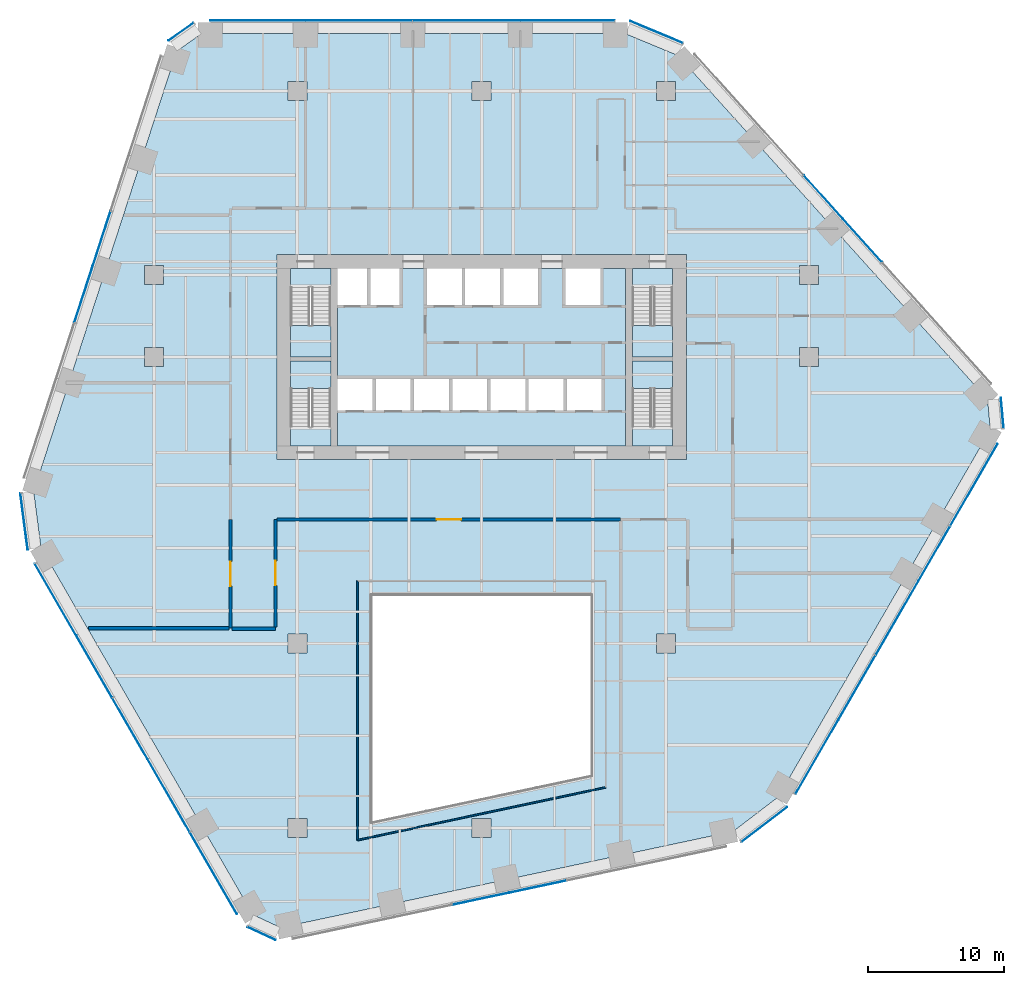
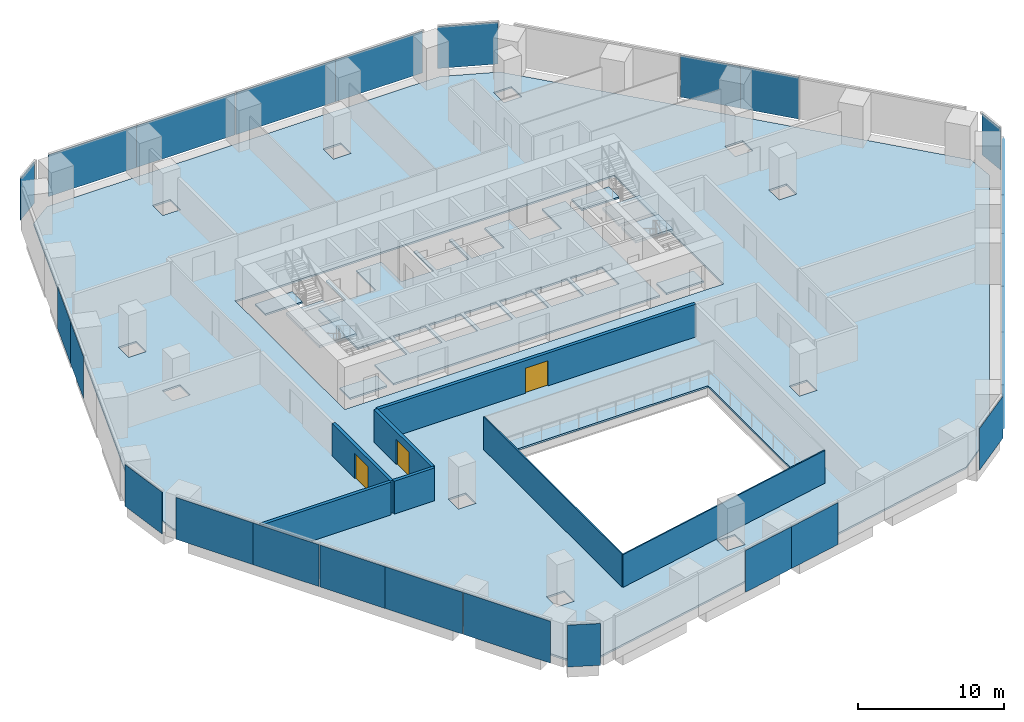
# One storey, part 13 of 20: 26 plates, 10 slabs, 7 walls, 3 doors, 3 openings, 16 elements without a shape of their own.
"""IFC4 building model written with IfcOpenShell, lengths in metres."""

from ifc_helpers import new_model, si_unit, direction, frame, frame_2d, origin, origin_2d, place, context, subcontext, project, spatial, polyline, rectangle, outline, extrude, material, layer, layer_set, type_object, element, fill, aggregate, save


model = new_model("IFC4")

# Units and contexts
model_context = context("Model", 3, precision=1e-05, world=origin(), true_north=direction((0.0, 1.0)))
body_context = subcontext(model_context, "Body", "Model", "MODEL_VIEW")
ifc_project = project(units=[si_unit("LENGTHUNIT", "METRE"), si_unit("AREAUNIT", "SQUARE_METRE"), si_unit("VOLUMEUNIT", "CUBIC_METRE"), si_unit("PLANEANGLEUNIT", "RADIAN"), si_unit("MASSUNIT", "GRAM", prefix="KILO")], contexts=[model_context])

# Site, building, storey
site_placement = place(None, origin())
site = spatial("IfcSite", under=ifc_project, at=site_placement, CompositionType="ELEMENT")
building_placement = place(site_placement, origin())
building = spatial("IfcBuilding", under=site, at=building_placement, Name="Isthmus Gate Tower", CompositionType="ELEMENT")
storey_placement = place(building_placement, frame((0.0, 0.0, 43.300048828125)))
storey = spatial("IfcBuildingStorey", under=building, at=storey_placement, Name="L08", CompositionType="ELEMENT", Elevation=43.300048828125)

# Slabs
ifc_material_1 = material(Name="Concrete f'c 40 MPa", Category="concrete")
ifc_layer_1 = layer(ifc_material_1, 0.14990234375)
ifc_layer_set_1 = layer_set([ifc_layer_1], Name="COMPOSITE FLOOR SLAB 150")
slab_type_1 = type_object("IfcSlabType", Name="COMPOSITE FLOOR SLAB 150", PredefinedType="FLOOR", material=ifc_layer_set_1)
slab_1_placement = place(storey_placement, frame((0.0, 0.0, -0.150146484375)))
element("IfcSlab", 1, at=slab_1_placement, inside=storey, type_object=slab_type_1, Name="str-slab-L08-1", PredefinedType="FLOOR", context=body_context, shape_type="SweptSolid", body=[
    extrude(outline(polyline([(14.391357421875, 29.599365234375), (37.081787109375, 4.399169921875), (37.281494140625, 2.17333984375), (21.748779296875, -24.729736328125), (18.438232421875, -27.262939453125), (-14.73095703125, -34.313232421875), (-16.758544921875, -33.373291015625), (-32.291015625, -6.47021484375), (-32.82958984375, -2.33642578125), (-22.3505859375, 29.9140625), (-20.52294921875, 31.199951171875), (10.542236328125, 31.199951171875), (14.391357421875, 29.599365234375)]), holes=[polyline([(-14.199951171875, -27.699951171875), (-12.800048828125, -27.699951171875), (-12.800048828125, -26.300048828125), (-14.199951171875, -26.300048828125), (-14.199951171875, -27.699951171875)]), polyline([(-0.699951171875, -26.300048828125), (-0.699951171875, -27.699951171875), (0.699951171875, -27.699951171875), (0.699951171875, -26.300048828125), (-0.699951171875, -26.300048828125)]), polyline([(-14.199951171875, -12.800048828125), (-14.199951171875, -14.199951171875), (-12.800048828125, -14.199951171875), (-12.800048828125, -12.800048828125), (-14.199951171875, -12.800048828125)]), polyline([(-24.699951171875, 8.199951171875), (-24.699951171875, 6.800048828125), (-23.300048828125, 6.800048828125), (-23.300048828125, 8.199951171875), (-24.699951171875, 8.199951171875)]), polyline([(-23.300048828125, 14.199951171875), (-24.699951171875, 14.199951171875), (-24.699951171875, 12.800048828125), (-23.300048828125, 12.800048828125), (-23.300048828125, 14.199951171875)]), polyline([(-14.199951171875, 27.699951171875), (-14.199951171875, 26.300048828125), (-12.800048828125, 26.300048828125), (-12.800048828125, 27.699951171875), (-14.199951171875, 27.699951171875)]), polyline([(-0.699951171875, 27.699951171875), (-0.699951171875, 26.300048828125), (0.699951171875, 26.300048828125), (0.699951171875, 27.699951171875), (-0.699951171875, 27.699951171875)]), polyline([(8.0, -23.143310546875), (8.0, -10.0), (-8.0, -10.0), (-8.0, -26.544189453125), (8.0, -23.143310546875)]), polyline([(14.199951171875, -12.800048828125), (12.800048828125, -12.800048828125), (12.800048828125, -14.199951171875), (14.199951171875, -14.199951171875), (14.199951171875, -12.800048828125)]), polyline([(15.0, 15.0), (-15.0, 15.0), (-15.0, 0.0), (15.0, 0.0), (15.0, 15.0)]), polyline([(24.699951171875, 8.199951171875), (23.300048828125, 8.199951171875), (23.300048828125, 6.800048828125), (24.699951171875, 6.800048828125), (24.699951171875, 8.199951171875)]), polyline([(23.300048828125, 14.199951171875), (23.300048828125, 12.800048828125), (24.699951171875, 12.800048828125), (24.699951171875, 14.199951171875), (23.300048828125, 14.199951171875)]), polyline([(14.199951171875, 27.699951171875), (12.800048828125, 27.699951171875), (12.800048828125, 26.300048828125), (14.199951171875, 26.300048828125), (14.199951171875, 27.699951171875)])]), origin(), (0.0, 0.0, 1.0), 0.150146484375),
])
ifc_material_2 = material(Name="Concrete f'c 40 MPa", Category="concrete")
ifc_layer_2 = layer(ifc_material_2, 0.14990234375)
ifc_layer_set_2 = layer_set([ifc_layer_2], Name="CORE FLOOR SLAB 150")
slab_type_2 = type_object("IfcSlabType", Name="CORE FLOOR SLAB 150", PredefinedType="FLOOR", material=ifc_layer_set_2)
slab_2_placement = place(storey_placement, frame((0.0, 0.0, -0.150146484375)))
element("IfcSlab", 2, at=slab_2_placement, inside=storey, type_object=slab_type_2, Name="L08 core floor", PredefinedType="FLOOR", context=body_context, shape_type="SweptSolid", body=[
    extrude(outline(polyline([(-11.050048828125, 1.0), (-11.050048828125, 2.402099609375), (-14.0, 2.402099609375), (-14.0, 1.0), (-11.050048828125, 1.0)])), origin(), (0.0, 0.0, 1.0), 0.150146484375),
])
slab_3_placement = place(storey_placement, frame((0.0, 0.0, -0.150146484375)))
element("IfcSlab", 3, at=slab_3_placement, inside=storey, type_object=slab_type_2, Name="L08 core floor", PredefinedType="FLOOR", context=body_context, shape_type="SweptSolid", body=[
    extrude(outline(polyline([(-14.0, 14.0), (-14.0, 12.597900390625), (-11.050048828125, 12.597900390625), (-11.050048828125, 14.0), (-14.0, 14.0)])), origin(), (0.0, 0.0, 1.0), 0.150146484375),
])
slab_4_placement = place(storey_placement, frame((0.0, 0.0, -0.150146484375)))
element("IfcSlab", 4, at=slab_4_placement, inside=storey, type_object=slab_type_2, Name="L08 core floor", PredefinedType="FLOOR", context=body_context, shape_type="SweptSolid", body=[
    extrude(outline(polyline([(10.550048828125, 14.0), (8.699951171875, 14.0), (8.699951171875, 11.300048828125), (6.14990234375, 11.300048828125), (6.14990234375, 14.0), (4.14990234375, 14.0), (4.14990234375, 11.300048828125), (1.60009765625, 11.300048828125), (1.60009765625, 14.0), (1.35009765625, 14.0), (1.35009765625, 11.300048828125), (-1.199951171875, 11.300048828125), (-1.199951171875, 14.0), (-1.449951171875, 14.0), (-1.449951171875, 11.300048828125), (-4.0, 11.300048828125), (-4.0, 14.0), (-6.0, 14.0), (-6.0, 11.300048828125), (-8.14990234375, 11.300048828125), (-8.14990234375, 14.0), (-8.39990234375, 14.0), (-8.39990234375, 11.300048828125), (-10.550048828125, 11.300048828125), (-10.550048828125, 5.89990234375), (-8.0, 5.89990234375), (-8.0, 3.60009765625), (-10.550048828125, 3.60009765625), (-10.550048828125, 1.0), (10.550048828125, 1.0), (10.550048828125, 14.0)]), holes=[polyline([(-5.199951171875, 5.89990234375), (-5.199951171875, 3.60009765625), (-7.75, 3.60009765625), (-7.75, 5.89990234375), (-5.199951171875, 5.89990234375)]), polyline([(-2.39990234375, 5.89990234375), (-2.39990234375, 3.60009765625), (-4.949951171875, 3.60009765625), (-4.949951171875, 5.89990234375), (-2.39990234375, 5.89990234375)]), polyline([(0.39990234375, 5.89990234375), (0.39990234375, 3.60009765625), (-2.14990234375, 3.60009765625), (-2.14990234375, 5.89990234375), (0.39990234375, 5.89990234375)]), polyline([(3.199951171875, 5.89990234375), (3.199951171875, 3.60009765625), (0.64990234375, 3.60009765625), (0.64990234375, 5.89990234375), (3.199951171875, 5.89990234375)]), polyline([(6.0, 5.89990234375), (6.0, 3.60009765625), (3.449951171875, 3.60009765625), (3.449951171875, 5.89990234375), (6.0, 5.89990234375)]), polyline([(8.800048828125, 5.89990234375), (8.800048828125, 3.60009765625), (6.25, 3.60009765625), (6.25, 5.89990234375), (8.800048828125, 5.89990234375)])]), origin(), (0.0, 0.0, 1.0), 0.150146484375),
])
slab_5_placement = place(storey_placement, frame((0.0, 0.0, -0.150146484375)))
element("IfcSlab", 5, at=slab_5_placement, inside=storey, type_object=slab_type_2, Name="L08 core floor", PredefinedType="FLOOR", context=body_context, shape_type="SweptSolid", body=[
    extrude(outline(polyline([(14.0, 1.0), (14.0, 2.402099609375), (11.050048828125, 2.402099609375), (11.050048828125, 1.0), (14.0, 1.0)])), origin(), (0.0, 0.0, 1.0), 0.150146484375),
])
slab_6_placement = place(storey_placement, frame((0.0, 0.0, -0.150146484375)))
element("IfcSlab", 6, at=slab_6_placement, inside=storey, type_object=slab_type_2, Name="L08 core floor", PredefinedType="FLOOR", context=body_context, shape_type="SweptSolid", body=[
    extrude(outline(polyline([(11.050048828125, 14.0), (11.050048828125, 12.597900390625), (14.0, 12.597900390625), (14.0, 14.0), (11.050048828125, 14.0)])), origin(), (0.0, 0.0, 1.0), 0.150146484375),
])

# Curtain wall, plates
ifc_material_3 = material(Name="Aluminium, pale champagne anodised", Category="aluminium")
ifc_layer_3 = layer(ifc_material_3, 0.199951171875)
ifc_layer_set_3 = layer_set([ifc_layer_3], Name="CW-1 UNITISED CURTAIN WALL 200 DEEP")
curtain_wall_type = type_object("IfcCurtainWallType", Name="CW-1 UNITISED CURTAIN WALL 200 DEEP", PredefinedType="NOTDEFINED", material=ifc_layer_set_3)
curtain_wall_1_placement = place(storey_placement, origin())
curtain_wall_1 = element("IfcCurtainWall", 7, at=curtain_wall_1_placement, inside=storey, type_object=curtain_wall_type, Name="CW-1 N L08", PredefinedType="NOTDEFINED")
ifc_material_4 = material(Name="Laminated low-iron glass, pale blue tint", Category="glass")
ifc_layer_4 = layer(ifc_material_4, 0.0400390625)
ifc_layer_set_4 = layer_set([ifc_layer_4], Name="CW-1 CLEAR GLASS LITE 40")
plate_type = type_object("IfcPlateType", Name="CW-1 CLEAR GLASS LITE 40", PredefinedType="CURTAIN_PANEL", material=ifc_layer_set_4)
plate_1_placement = place(storey_placement, frame((6.287109375, 32.179931640625, 0.0), z_axis=(0.0, 0.0, 1.0), x_axis=(-1.0, 0.0, 0.0)))
plate_1 = element("IfcPlate", 8, at=plate_1_placement, type_object=plate_type, Name="CW-1 glass lite", PredefinedType="CURTAIN_PANEL", context=body_context, shape_type="SweptSolid", body=[
    extrude(rectangle(XDim=6.909423828125, YDim=0.0400390625, at=origin_2d()), origin(), (0.0, 0.0, 1.0), 3.5),
])
plate_2_placement = place(storey_placement, frame((-1.1025390625, 32.179931640625, 0.0), z_axis=(0.0, 0.0, 1.0), x_axis=(-1.0, 0.0, 0.0)))
plate_2 = element("IfcPlate", 9, at=plate_2_placement, type_object=plate_type, Name="CW-1 glass lite", PredefinedType="CURTAIN_PANEL", context=body_context, shape_type="SweptSolid", body=[
    extrude(rectangle(XDim=7.86962890625, YDim=0.0400390625, at=origin_2d()), origin(), (0.0, 0.0, 1.0), 3.5),
])
plate_3_placement = place(storey_placement, frame((-9.001953125, 32.179931640625, 0.0), z_axis=(0.0, 0.0, 1.0), x_axis=(-1.0, 0.0, 0.0)))
plate_3 = element("IfcPlate", 10, at=plate_3_placement, type_object=plate_type, Name="CW-1 glass lite", PredefinedType="CURTAIN_PANEL", context=body_context, shape_type="SweptSolid", body=[
    extrude(rectangle(XDim=7.8095703125, YDim=0.0400390625, at=origin_2d()), origin(), (0.0, 0.0, 1.0), 3.5),
])
plate_4_placement = place(storey_placement, frame((-16.391357421875, 32.179931640625, 0.0), z_axis=(0.0, 0.0, 1.0), x_axis=(-1.0, 0.0, 0.0)))
plate_4 = element("IfcPlate", 11, at=plate_4_placement, type_object=plate_type, Name="CW-1 glass lite", PredefinedType="CURTAIN_PANEL", context=body_context, shape_type="SweptSolid", body=[
    extrude(rectangle(XDim=6.969482421875, YDim=0.0400390625, at=origin_2d()), origin(), (0.0, 0.0, 1.0), 3.5),
])
aggregate(curtain_wall_1, [plate_1, plate_2, plate_3, plate_4])

# Curtain wall, plate
curtain_wall_2_placement = place(storey_placement, origin())
curtain_wall_2 = element("IfcCurtainWall", 12, at=curtain_wall_2_placement, inside=storey, type_object=curtain_wall_type, Name="CW-1 N-NW L08", PredefinedType="NOTDEFINED")
plate_5_placement = place(storey_placement, frame((-22.025146484375, 31.341552734375, 0.0), z_axis=(0.0, 0.0, 1.0), x_axis=(-0.81785959165, -0.57541783805, 0.0)))
plate_5 = element("IfcPlate", 13, at=plate_5_placement, type_object=plate_type, Name="CW-1 glass lite", PredefinedType="CURTAIN_PANEL", context=body_context, shape_type="SweptSolid", body=[
    extrude(rectangle(XDim=2.258544921875, YDim=0.0400390625, at=origin_2d()), origin(), (0.0, 0.0, 1.0), 3.5),
])
aggregate(curtain_wall_2, [plate_5])

# Curtain wall, plates
curtain_wall_3_placement = place(storey_placement, origin())
curtain_wall_3 = element("IfcCurtainWall", 14, at=curtain_wall_3_placement, inside=storey, type_object=curtain_wall_type, Name="CW-1 NW L08", PredefinedType="NOTDEFINED")
plate_6_placement = place(storey_placement, frame((-27.8544921875, 16.146484375, 0.0), z_axis=(0.0, 0.0, 1.0), x_axis=(-0.309016994375, -0.951056516295, 0.0)))
plate_6 = element("IfcPlate", 15, at=plate_6_placement, type_object=plate_type, Name="CW-1 glass lite", PredefinedType="CURTAIN_PANEL", context=body_context, shape_type="SweptSolid", body=[
    extrude(rectangle(XDim=4.234619140625, YDim=0.0400390625, at=origin_2d()), origin(), (0.0, 0.0, 1.0), 3.5),
])
plate_7_placement = place(storey_placement, frame((-29.17236328125, 12.09033203125, 0.0), z_axis=(0.0, 0.0, 1.0), x_axis=(-0.309016994375, -0.951056516295, 0.0)))
plate_7 = element("IfcPlate", 16, at=plate_7_placement, type_object=plate_type, Name="CW-1 glass lite", PredefinedType="CURTAIN_PANEL", context=body_context, shape_type="SweptSolid", body=[
    extrude(rectangle(XDim=4.294677734375, YDim=0.0400390625, at=origin_2d()), origin(), (0.0, 0.0, 1.0), 3.5),
])
aggregate(curtain_wall_3, [plate_6, plate_7])

# Curtain wall, plate
curtain_wall_4_placement = place(storey_placement, origin())
curtain_wall_4 = element("IfcCurtainWall", 17, at=curtain_wall_4_placement, inside=storey, type_object=curtain_wall_type, Name="CW-1 NW-SW L08", PredefinedType="NOTDEFINED")
plate_8_placement = place(storey_placement, frame((-33.5283203125, -4.558349609375, 0.0), z_axis=(0.0, 0.0, 1.0), x_axis=(0.129164534, -0.991623175988, 0.0)))
plate_8 = element("IfcPlate", 18, at=plate_8_placement, type_object=plate_type, Name="CW-1 glass lite", PredefinedType="CURTAIN_PANEL", context=body_context, shape_type="SweptSolid", body=[
    extrude(rectangle(XDim=4.181396484375, YDim=0.0400390625, at=origin_2d()), origin(), (0.0, 0.0, 1.0), 3.5),
])
aggregate(curtain_wall_4, [plate_8])

# Curtain wall, plates
curtain_wall_5_placement = place(storey_placement, origin())
curtain_wall_5 = element("IfcCurtainWall", 19, at=curtain_wall_5_placement, inside=storey, type_object=curtain_wall_type, Name="CW-1 SW L08", PredefinedType="NOTDEFINED")
plate_9_placement = place(storey_placement, frame((-31.22119140625, -10.283203125, 0.0), z_axis=(0.0, 0.0, 1.0), x_axis=(0.5, -0.866025403784, 0.0)))
plate_9 = element("IfcPlate", 20, at=plate_9_placement, type_object=plate_type, Name="CW-1 glass lite", PredefinedType="CURTAIN_PANEL", context=body_context, shape_type="SweptSolid", body=[
    extrude(rectangle(XDim=6.07373046875, YDim=0.0400390625, at=origin_2d()), origin(), (0.0, 0.0, 1.0), 3.5),
])
plate_10_placement = place(storey_placement, frame((-28.394287109375, -15.179443359375, 0.0), z_axis=(0.0, 0.0, 1.0), x_axis=(0.5, -0.866025403784, 0.0)))
plate_10 = element("IfcPlate", 21, at=plate_10_placement, type_object=plate_type, Name="CW-1 glass lite", PredefinedType="CURTAIN_PANEL", context=body_context, shape_type="SweptSolid", body=[
    extrude(rectangle(XDim=5.233642578125, YDim=0.0400390625, at=origin_2d()), origin(), (0.0, 0.0, 1.0), 3.5),
])
plate_11_placement = place(storey_placement, frame((-25.7626953125, -19.73779296875, 0.0), z_axis=(0.0, 0.0, 1.0), x_axis=(0.5, -0.866025403784, 0.0)))
plate_11 = element("IfcPlate", 22, at=plate_11_placement, type_object=plate_type, Name="CW-1 glass lite", PredefinedType="CURTAIN_PANEL", context=body_context, shape_type="SweptSolid", body=[
    extrude(rectangle(XDim=5.173583984375, YDim=0.0400390625, at=origin_2d()), origin(), (0.0, 0.0, 1.0), 3.5),
])
plate_12_placement = place(storey_placement, frame((-22.935791015625, -24.634033203125, 0.0), z_axis=(0.0, 0.0, 1.0), x_axis=(0.5, -0.866025403784, 0.0)))
plate_12 = element("IfcPlate", 23, at=plate_12_placement, type_object=plate_type, Name="CW-1 glass lite", PredefinedType="CURTAIN_PANEL", context=body_context, shape_type="SweptSolid", body=[
    extrude(rectangle(XDim=6.133544921875, YDim=0.0400390625, at=origin_2d()), origin(), (0.0, 0.0, 1.0), 3.5),
])
plate_13_placement = place(storey_placement, frame((-19.6513671875, -30.32275390625, 0.0), z_axis=(0.0, 0.0, 1.0), x_axis=(0.5, -0.866025403784, 0.0)))
plate_13 = element("IfcPlate", 24, at=plate_13_placement, type_object=plate_type, Name="CW-1 glass lite", PredefinedType="CURTAIN_PANEL", context=body_context, shape_type="SweptSolid", body=[
    extrude(rectangle(XDim=6.883544921875, YDim=0.0400390625, at=origin_2d()), origin(), (0.0, 0.0, 1.0), 3.5),
])
aggregate(curtain_wall_5, [plate_9, plate_10, plate_11, plate_12, plate_13])

# Curtain wall, plate
curtain_wall_6_placement = place(storey_placement, origin())
curtain_wall_6 = element("IfcCurtainWall", 25, at=curtain_wall_6_placement, inside=storey, type_object=curtain_wall_type, Name="CW-1 SW-S L08", PredefinedType="NOTDEFINED")
plate_14_placement = place(storey_placement, frame((-16.1298828125, -34.7451171875, 0.0), z_axis=(0.0, 0.0, 1.0), x_axis=(0.907256261367, -0.420578264073, 0.0)))
plate_14 = element("IfcPlate", 26, at=plate_14_placement, type_object=plate_type, Name="CW-1 glass lite", PredefinedType="CURTAIN_PANEL", context=body_context, shape_type="SweptSolid", body=[
    extrude(rectangle(XDim=2.258544921875, YDim=0.0400390625, at=origin_2d()), origin(), (0.0, 0.0, 1.0), 3.5),
])
aggregate(curtain_wall_6, [plate_14])

# Curtain wall, plates
curtain_wall_7_placement = place(storey_placement, origin())
curtain_wall_7 = element("IfcCurtainWall", 27, at=curtain_wall_7_placement, inside=storey, type_object=curtain_wall_type, Name="CW-1 S L08", PredefinedType="NOTDEFINED")
plate_15_placement = place(storey_placement, frame((-0.055908203125, -32.19580078125, 0.0), z_axis=(0.0, 0.0, 1.0), x_axis=(0.978147600734, 0.207911690818, 0.0)))
plate_15 = element("IfcPlate", 28, at=plate_15_placement, type_object=plate_type, Name="CW-1 glass lite", PredefinedType="CURTAIN_PANEL", context=body_context, shape_type="SweptSolid", body=[
    extrude(rectangle(XDim=4.234619140625, YDim=0.0400390625, at=origin_2d()), origin(), (0.0, 0.0, 1.0), 3.5),
])
plate_16_placement = place(storey_placement, frame((4.115478515625, -31.309326171875, 0.0), z_axis=(0.0, 0.0, 1.0), x_axis=(0.978147600734, 0.207911690818, 0.0)))
plate_16 = element("IfcPlate", 29, at=plate_16_placement, type_object=plate_type, Name="CW-1 glass lite", PredefinedType="CURTAIN_PANEL", context=body_context, shape_type="SweptSolid", body=[
    extrude(rectangle(XDim=4.294677734375, YDim=0.0400390625, at=origin_2d()), origin(), (0.0, 0.0, 1.0), 3.5),
])
aggregate(curtain_wall_7, [plate_15, plate_16])

# Curtain wall, plate
curtain_wall_8_placement = place(storey_placement, origin())
curtain_wall_8 = element("IfcCurtainWall", 30, at=curtain_wall_8_placement, inside=storey, type_object=curtain_wall_type, Name="CW-1 S-SE L08", PredefinedType="NOTDEFINED")
plate_17_placement = place(storey_placement, frame((20.711669921875, -26.75732421875, 0.0), z_axis=(0.0, 0.0, 1.0), x_axis=(0.794188594387, 0.607671355706, 0.0)))
plate_17 = element("IfcPlate", 31, at=plate_17_placement, type_object=plate_type, Name="CW-1 glass lite", PredefinedType="CURTAIN_PANEL", context=body_context, shape_type="SweptSolid", body=[
    extrude(rectangle(XDim=4.181396484375, YDim=0.0400390625, at=origin_2d()), origin(), (0.0, 0.0, 1.0), 3.5),
])
aggregate(curtain_wall_8, [plate_17])

# Curtain wall, plates
curtain_wall_9_placement = place(storey_placement, origin())
curtain_wall_9 = element("IfcCurtainWall", 32, at=curtain_wall_9_placement, inside=storey, type_object=curtain_wall_type, Name="CW-1 SE L08", PredefinedType="NOTDEFINED")
plate_18_placement = place(storey_placement, frame((24.5673828125, -21.80810546875, 0.0), z_axis=(0.0, 0.0, 1.0), x_axis=(0.5, 0.866025403784, 0.0)))
plate_18 = element("IfcPlate", 33, at=plate_18_placement, type_object=plate_type, Name="CW-1 glass lite", PredefinedType="CURTAIN_PANEL", context=body_context, shape_type="SweptSolid", body=[
    extrude(rectangle(XDim=6.278564453125, YDim=0.0400390625, at=origin_2d()), origin(), (0.0, 0.0, 1.0), 3.5),
])
plate_19_placement = place(storey_placement, frame((27.49658203125, -16.734375, 0.0), z_axis=(0.0, 0.0, 1.0), x_axis=(0.5, 0.866025403784, 0.0)))
plate_19 = element("IfcPlate", 34, at=plate_19_placement, type_object=plate_type, Name="CW-1 glass lite", PredefinedType="CURTAIN_PANEL", context=body_context, shape_type="SweptSolid", body=[
    extrude(rectangle(XDim=5.4384765625, YDim=0.0400390625, at=origin_2d()), origin(), (0.0, 0.0, 1.0), 3.5),
])
plate_20_placement = place(storey_placement, frame((30.4560546875, -11.608642578125, 0.0), z_axis=(0.0, 0.0, 1.0), x_axis=(0.5, 0.866025403784, 0.0)))
plate_20 = element("IfcPlate", 35, at=plate_20_placement, type_object=plate_type, Name="CW-1 glass lite", PredefinedType="CURTAIN_PANEL", context=body_context, shape_type="SweptSolid", body=[
    extrude(rectangle(XDim=6.278564453125, YDim=0.0400390625, at=origin_2d()), origin(), (0.0, 0.0, 1.0), 3.5),
])
plate_21_placement = place(storey_placement, frame((33.173828125, -6.901123046875, 0.0), z_axis=(0.0, 0.0, 1.0), x_axis=(0.5, 0.866025403784, 0.0)))
plate_21 = element("IfcPlate", 36, at=plate_21_placement, type_object=plate_type, Name="CW-1 glass lite", PredefinedType="CURTAIN_PANEL", context=body_context, shape_type="SweptSolid", body=[
    extrude(rectangle(XDim=4.5927734375, YDim=0.0400390625, at=origin_2d()), origin(), (0.0, 0.0, 1.0), 3.5),
])
plate_22_placement = place(storey_placement, frame((36.079345703125, -1.86865234375, 0.0), z_axis=(0.0, 0.0, 1.0), x_axis=(0.5, 0.866025403784, 0.0)))
plate_22 = element("IfcPlate", 37, at=plate_22_placement, type_object=plate_type, Name="CW-1 glass lite", PredefinedType="CURTAIN_PANEL", context=body_context, shape_type="SweptSolid", body=[
    extrude(rectangle(XDim=6.909423828125, YDim=0.0400390625, at=origin_2d()), origin(), (0.0, 0.0, 1.0), 3.5),
])
aggregate(curtain_wall_9, [plate_18, plate_19, plate_20, plate_21, plate_22])

# Curtain wall, plate
curtain_wall_10_placement = place(storey_placement, origin())
curtain_wall_10 = element("IfcCurtainWall", 38, at=curtain_wall_10_placement, inside=storey, type_object=curtain_wall_type, Name="CW-1 SE-NE L08", PredefinedType="NOTDEFINED")
plate_23_placement = place(storey_placement, frame((38.155029296875, 3.403564453125, 0.0), z_axis=(0.0, 0.0, 1.0), x_axis=(-0.089396669717, 0.995996102123, 0.0)))
plate_23 = element("IfcPlate", 39, at=plate_23_placement, type_object=plate_type, Name="CW-1 glass lite", PredefinedType="CURTAIN_PANEL", context=body_context, shape_type="SweptSolid", body=[
    extrude(rectangle(XDim=2.258544921875, YDim=0.0400390625, at=origin_2d()), origin(), (0.0, 0.0, 1.0), 3.5),
])
aggregate(curtain_wall_10, [plate_23])

# Curtain wall, plates
curtain_wall_11_placement = place(storey_placement, origin())
curtain_wall_11 = element("IfcCurtainWall", 40, at=curtain_wall_11_placement, inside=storey, type_object=curtain_wall_type, Name="CW-1 NE L08", PredefinedType="NOTDEFINED")
plate_24_placement = place(storey_placement, frame((27.910400390625, 16.049560546875, 0.0), z_axis=(0.0, 0.0, 1.0), x_axis=(-0.669130606359, 0.743144825477, 0.0)))
plate_24 = element("IfcPlate", 41, at=plate_24_placement, type_object=plate_type, Name="CW-1 glass lite", PredefinedType="CURTAIN_PANEL", context=body_context, shape_type="SweptSolid", body=[
    extrude(rectangle(XDim=4.234619140625, YDim=0.0400390625, at=origin_2d()), origin(), (0.0, 0.0, 1.0), 3.5),
])
plate_25_placement = place(storey_placement, frame((25.056884765625, 19.21875, 0.0), z_axis=(0.0, 0.0, 1.0), x_axis=(-0.669130606359, 0.743144825477, 0.0)))
plate_25 = element("IfcPlate", 42, at=plate_25_placement, type_object=plate_type, Name="CW-1 glass lite", PredefinedType="CURTAIN_PANEL", context=body_context, shape_type="SweptSolid", body=[
    extrude(rectangle(XDim=4.294677734375, YDim=0.0400390625, at=origin_2d()), origin(), (0.0, 0.0, 1.0), 3.5),
])
aggregate(curtain_wall_11, [plate_24, plate_25])

# Curtain wall, plate
curtain_wall_12_placement = place(storey_placement, origin())
curtain_wall_12 = element("IfcCurtainWall", 43, at=curtain_wall_12_placement, inside=storey, type_object=curtain_wall_type, Name="CW-1 NE-N L08", PredefinedType="NOTDEFINED")
plate_26_placement = place(storey_placement, frame((12.816650390625, 31.315673828125, 0.0), z_axis=(0.0, 0.0, 1.0), x_axis=(-0.923353128387, 0.383951820282, 0.0)))
plate_26 = element("IfcPlate", 44, at=plate_26_placement, type_object=plate_type, Name="CW-1 glass lite", PredefinedType="CURTAIN_PANEL", context=body_context, shape_type="SweptSolid", body=[
    extrude(rectangle(XDim=4.181396484375, YDim=0.0400390625, at=origin_2d()), origin(), (0.0, 0.0, 1.0), 3.5),
])
aggregate(curtain_wall_12, [plate_26])

# Stair, slab
ifc_material_5 = material(Name="Concrete f'c 40 MPa", Category="concrete")
stair_type = type_object("IfcStairType", Name="CORE STAIR 22 RISERS", PredefinedType="HALF_TURN_STAIR", material=ifc_material_5)
stair_1_placement = place(storey_placement, origin())
stair_1 = element("IfcStair", 45, at=stair_1_placement, inside=storey, type_object=stair_type, Name="L08 Exit Stair 1", PredefinedType="HALF_TURN_STAIR")
ifc_material_6 = material(Name="Concrete f'c 40 MPa", Category="concrete")
ifc_layer_5 = layer(ifc_material_6, 0.199951171875)
ifc_layer_set_5 = layer_set([ifc_layer_5])
slab_type_3 = type_object("IfcSlabType", Name="STAIR LANDING RC 200", PredefinedType="LANDING", material=ifc_layer_set_5)
slab_7_placement = place(storey_placement, frame((0.0, 0.0, 1.625)))
slab_7 = element("IfcSlab", 46, at=slab_7_placement, type_object=slab_type_3, Name="ST1 landing 1", PredefinedType="LANDING", context=body_context, shape_type="SweptSolid", body=[
    extrude(outline(polyline([(-14.0, 9.800048828125), (-14.0, 7.5), (-11.050048828125, 7.5), (-11.050048828125, 9.800048828125), (-14.0, 9.800048828125)])), origin(), (0.0, 0.0, 1.0), 0.199951171875),
])
aggregate(stair_1, [slab_7])

stair_2_placement = place(storey_placement, origin())
stair_2 = element("IfcStair", 47, at=stair_2_placement, inside=storey, type_object=stair_type, Name="L08 Exit Stair 2", PredefinedType="HALF_TURN_STAIR")
slab_8_placement = place(storey_placement, frame((0.0, 0.0, 1.625)))
slab_8 = element("IfcSlab", 48, at=slab_8_placement, type_object=slab_type_3, Name="ST2 landing 1", PredefinedType="LANDING", context=body_context, shape_type="SweptSolid", body=[
    extrude(outline(polyline([(11.050048828125, 9.800048828125), (11.050048828125, 7.5), (14.0, 7.5), (14.0, 9.800048828125), (11.050048828125, 9.800048828125)])), origin(), (0.0, 0.0, 1.0), 0.199951171875),
])
aggregate(stair_2, [slab_8])

stair_3_placement = place(storey_placement, origin())
stair_3 = element("IfcStair", 49, at=stair_3_placement, inside=storey, type_object=stair_type, Name="L08 Exit Stair 7", PredefinedType="HALF_TURN_STAIR")
slab_9_placement = place(storey_placement, frame((0.0, 0.0, 1.625)))
slab_9 = element("IfcSlab", 50, at=slab_9_placement, type_object=slab_type_3, Name="ST7 landing 1", PredefinedType="LANDING", context=body_context, shape_type="SweptSolid", body=[
    extrude(outline(polyline([(-11.050048828125, 5.199951171875), (-11.050048828125, 7.199951171875), (-14.0, 7.199951171875), (-14.0, 5.199951171875), (-11.050048828125, 5.199951171875)])), origin(), (0.0, 0.0, 1.0), 0.199951171875),
])
aggregate(stair_3, [slab_9])

stair_4_placement = place(storey_placement, origin())
stair_4 = element("IfcStair", 51, at=stair_4_placement, inside=storey, type_object=stair_type, Name="L08 Exit Stair 8", PredefinedType="HALF_TURN_STAIR")
slab_10_placement = place(storey_placement, frame((0.0, 0.0, 1.625)))
slab_10 = element("IfcSlab", 52, at=slab_10_placement, type_object=slab_type_3, Name="ST8 landing 1", PredefinedType="LANDING", context=body_context, shape_type="SweptSolid", body=[
    extrude(outline(polyline([(14.0, 5.199951171875), (14.0, 7.199951171875), (11.050048828125, 7.199951171875), (11.050048828125, 5.199951171875), (14.0, 5.199951171875)])), origin(), (0.0, 0.0, 1.0), 0.199951171875),
])
aggregate(stair_4, [slab_10])

# Wall, opening, door
ifc_material_7 = material(Name="Double-leaf acoustic stud wall, fire-rated", Category="gypsum")
ifc_layer_6 = layer(ifc_material_7, 0.25)
ifc_layer_set_6 = layer_set([ifc_layer_6], Name="ACOUSTIC WALL 250 60 MIN")
wall_type_1 = type_object("IfcWallType", Name="ACOUSTIC WALL 250 60 MIN", PredefinedType="PARTITIONING", material=ifc_layer_set_6)
wall_1_placement = place(storey_placement, frame((10.19189453125, -4.39990234375, 0.0), z_axis=(0.0, 0.0, 1.0), x_axis=(-1.0, 0.0, 0.0)))
wall_1 = element("IfcWall", 53, at=wall_1_placement, inside=storey, type_object=wall_type_1, Name="L08 Acoustic Wall 250 60 Min", PredefinedType="PARTITIONING", context=body_context, shape_type="SweptSolid", body=[
    extrude(rectangle(XDim=25.1669921875, YDim=0.25, at=frame_2d((12.58349609375, 0.0))), origin(), (0.0, 0.0, 1.0), 2.7412109375),
])
opening_1_placement = place(wall_1_placement, frame((11.696044921875, 0.0, 0.0)))
opening_1 = element("IfcOpeningElement", 54, at=opening_1_placement, cuts=wall_1, Name="Opening DT-T1A-14", PredefinedType="OPENING", context=body_context, shape_type="SweptSolid", body=[
    extrude(rectangle(XDim=1.800048828125, YDim=2.10009765625, at=frame_2d((0.89990234375, 1.050048828125))), frame((0.0, 0.135009765625, 0.0), z_axis=(0.0, -1.0, 0.0), x_axis=(1.0, 0.0, 0.0)), (0.0, 0.0, 1.0), 0.27001953125),
])
ifc_material_8 = material(Name="Solid core timber door leaf, fire-rated", Category="wood")
door_type = type_object("IfcDoorType", Name="FIRE DOOR ACOUSTIC ROOM 1800 X 2100 60 MIN", OperationType="DOUBLE_DOOR_DOUBLE_SWING", PredefinedType="DOOR", material=ifc_material_8)
door_1_placement = place(opening_1_placement, origin())
door_1 = element("IfcDoor", 55, at=door_1_placement, inside=storey, type_object=door_type, Name="L08 room door", OperationType="DOUBLE_DOOR_DOUBLE_SWING", OverallHeight=2.10009765625, OverallWidth=1.800048828125, PredefinedType="DOOR", context=body_context, shape_type="SweptSolid", body=[
    extrude(rectangle(XDim=1.800048828125, YDim=2.10009765625, at=frame_2d((0.89990234375, 1.050048828125))), frame((0.0, 0.02490234375, 0.0), z_axis=(0.0, -1.0, 0.0), x_axis=(1.0, 0.0, 0.0)), (0.0, 0.0, 1.0), 0.050048828125),
])
fill(opening_1, door_1)

# Wall
wall_2_placement = place(storey_placement, frame((-15.10009765625, -12.39990234375, 0.0), z_axis=(0.0, 0.0, 1.0), x_axis=(-1.0, 0.0, 0.0)))
element("IfcWall", 56, at=wall_2_placement, inside=storey, type_object=wall_type_1, Name="L08 Acoustic Wall 250 60 Min", PredefinedType="PARTITIONING", context=body_context, shape_type="SweptSolid", body=[
    extrude(rectangle(XDim=3.201904296875, YDim=0.25, at=frame_2d((1.60107421875, 0.0))), origin(), (0.0, 0.0, 1.0), 2.7412109375),
])

# Wall, opening, door
wall_3_placement = place(storey_placement, frame((-15.10009765625, -4.39990234375, 0.0), z_axis=(0.0, 0.0, 1.0), x_axis=(0.0, -1.0, 0.0)))
wall_3 = element("IfcWall", 57, at=wall_3_placement, inside=storey, type_object=wall_type_1, Name="L08 Acoustic Wall 250 60 Min", PredefinedType="PARTITIONING", context=body_context, shape_type="SweptSolid", body=[
    extrude(rectangle(XDim=7.875, YDim=0.25, at=frame_2d((3.9375, 0.0))), origin(), (0.0, 0.0, 1.0), 2.7412109375),
])
opening_2_placement = place(wall_3_placement, frame((3.03759765625, 0.0, 0.0)))
opening_2 = element("IfcOpeningElement", 58, at=opening_2_placement, cuts=wall_3, Name="Opening DT-T1A-15", PredefinedType="OPENING", context=body_context, shape_type="SweptSolid", body=[
    extrude(rectangle(XDim=1.800048828125, YDim=2.10009765625, at=frame_2d((0.89990234375, 1.050048828125))), frame((0.0, 0.135009765625, 0.0), z_axis=(0.0, -1.0, 0.0), x_axis=(1.0, 0.0, 0.0)), (0.0, 0.0, 1.0), 0.27001953125),
])
door_2_placement = place(opening_2_placement, origin())
door_2 = element("IfcDoor", 59, at=door_2_placement, inside=storey, type_object=door_type, Name="L08 room door", OperationType="DOUBLE_DOOR_DOUBLE_SWING", OverallHeight=2.10009765625, OverallWidth=1.800048828125, PredefinedType="DOOR", context=body_context, shape_type="SweptSolid", body=[
    extrude(rectangle(XDim=1.800048828125, YDim=2.10009765625, at=frame_2d((0.89990234375, 1.050048828125))), frame((0.0, 0.02490234375, 0.0), z_axis=(0.0, -1.0, 0.0), x_axis=(1.0, 0.0, 0.0)), (0.0, 0.0, 1.0), 0.050048828125),
])
fill(opening_2, door_2)

wall_4_placement = place(storey_placement, frame((-18.402099609375, -12.3515625, 0.0), z_axis=(0.0, 0.0, 1.0), x_axis=(0.0, 1.0, 0.0)))
wall_4 = element("IfcWall", 60, at=wall_4_placement, inside=storey, type_object=wall_type_1, Name="L08 Acoustic Wall 250 60 Min", PredefinedType="PARTITIONING", context=body_context, shape_type="SweptSolid", body=[
    extrude(rectangle(XDim=7.95361328125, YDim=0.25, at=frame_2d((3.976806640625, 0.0))), origin(), (0.0, 0.0, 1.0), 2.7412109375),
])
opening_3_placement = place(wall_4_placement, frame((3.06591796875, 0.0, 0.0)))
opening_3 = element("IfcOpeningElement", 61, at=opening_3_placement, cuts=wall_4, Name="Opening DT-T1A-12", PredefinedType="OPENING", context=body_context, shape_type="SweptSolid", body=[
    extrude(rectangle(XDim=1.800048828125, YDim=2.10009765625, at=frame_2d((0.89990234375, 1.050048828125))), frame((0.0, 0.135009765625, 0.0), z_axis=(0.0, -1.0, 0.0), x_axis=(1.0, 0.0, 0.0)), (0.0, 0.0, 1.0), 0.27001953125),
])
door_3_placement = place(opening_3_placement, origin())
door_3 = element("IfcDoor", 62, at=door_3_placement, inside=storey, type_object=door_type, Name="L08 room door", OperationType="DOUBLE_DOOR_DOUBLE_SWING", OverallHeight=2.10009765625, OverallWidth=1.800048828125, PredefinedType="DOOR", context=body_context, shape_type="SweptSolid", body=[
    extrude(rectangle(XDim=1.800048828125, YDim=2.10009765625, at=frame_2d((0.89990234375, 1.050048828125))), frame((0.0, 0.02490234375, 0.0), z_axis=(0.0, -1.0, 0.0), x_axis=(1.0, 0.0, 0.0)), (0.0, 0.0, 1.0), 0.050048828125),
])
fill(opening_3, door_3)

# Walls
wall_5_placement = place(storey_placement, frame((-28.81396484375, -12.373046875, 0.0), z_axis=(0.0, 0.0, 1.0), x_axis=(1.0, 0.0, 0.0)))
element("IfcWall", 63, at=wall_5_placement, inside=storey, type_object=wall_type_1, Name="L08 Acoustic Wall 250 60 Min", PredefinedType="PARTITIONING", context=body_context, shape_type="SweptSolid", body=[
    extrude(rectangle(XDim=10.286865234375, YDim=0.25, at=frame_2d((5.1435546875, 0.0))), origin(), (0.0, 0.0, 1.0), 2.7412109375),
])
ifc_material_9 = material(Name="Fire-rated laminated glass in steel frame", Category="steel")
ifc_layer_7 = layer(ifc_material_9, 0.10009765625)
ifc_layer_set_7 = layer_set([ifc_layer_7], Name="ATRIUM SCREEN GLAZED WALL 100 120 MIN")
wall_type_2 = type_object("IfcWallType", Name="ATRIUM SCREEN GLAZED WALL 100 120 MIN", PredefinedType="PARTITIONING", material=ifc_layer_set_7)
wall_6_placement = place(storey_placement, frame((9.10009765625, -24.033935546875, 0.0), z_axis=(0.0, 0.0, 1.0), x_axis=(-0.978146710971, -0.207915876778, 0.0)))
element("IfcWall", 64, at=wall_6_placement, inside=storey, type_object=wall_type_2, Name="L08 atrium screen", PredefinedType="PARTITIONING", context=body_context, shape_type="SweptSolid", body=[
    extrude(rectangle(XDim=18.60693359375, YDim=0.10009765625, at=frame_2d((9.303466796875, 0.0))), origin(), (0.0, 0.0, 1.0), 2.7412109375),
])
wall_7_placement = place(storey_placement, frame((-9.10009765625, -27.902587890625, 0.0), z_axis=(0.0, 0.0, 1.0), x_axis=(0.0, 1.0, 0.0)))
element("IfcWall", 65, at=wall_7_placement, inside=storey, type_object=wall_type_2, Name="L08 atrium screen", PredefinedType="PARTITIONING", context=body_context, shape_type="SweptSolid", body=[
    extrude(rectangle(XDim=19.002685546875, YDim=0.10009765625, at=frame_2d((9.50146484375, 0.0))), origin(), (0.0, 0.0, 1.0), 2.7412109375),
])

save(model, "model.ifc")
